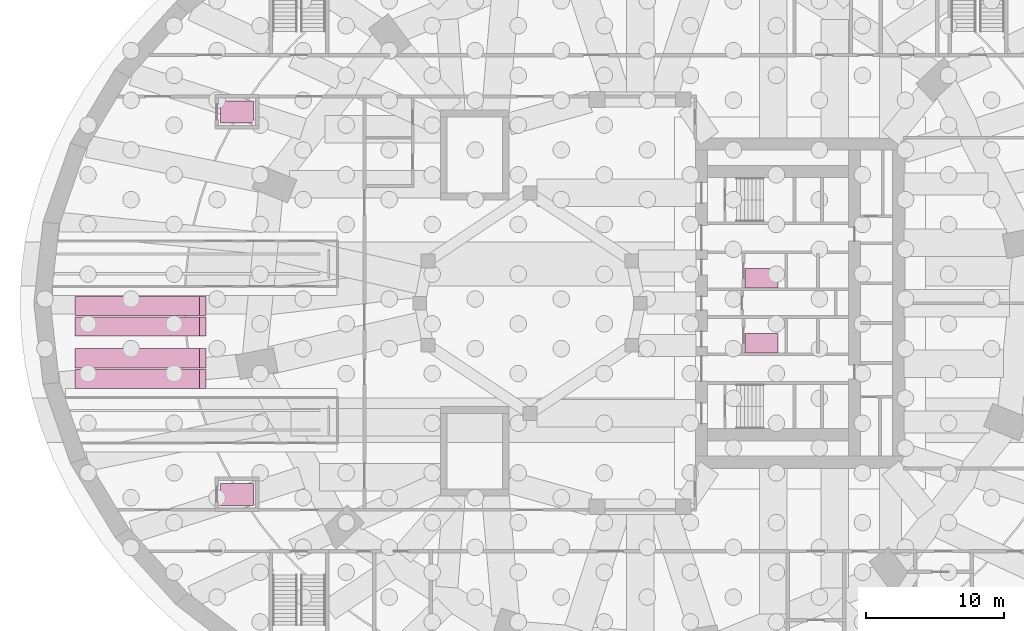
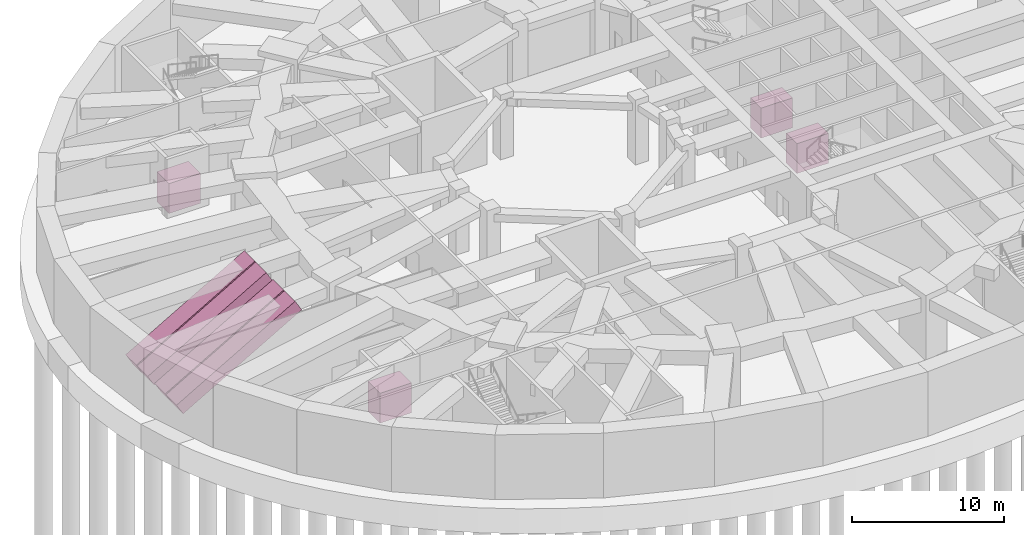
# One storey, part 18 of 18: 8 transport elements.
"""IFC4 building model written with IfcOpenShell, lengths in metres."""

from ifc_helpers import new_model, si_unit, direction, frame, origin, origin_2d, place, context, subcontext, project, spatial, polyline, rectangle, outline, extrude, material, type_object, element, save


model = new_model("IFC4")

# Units and contexts
model_context = context("Model", 3, precision=1e-05, world=origin(), true_north=direction((0.0, 1.0)))
body_context = subcontext(model_context, "Body", "Model", "MODEL_VIEW")
ifc_project = project(units=[si_unit("LENGTHUNIT", "METRE"), si_unit("AREAUNIT", "SQUARE_METRE"), si_unit("VOLUMEUNIT", "CUBIC_METRE"), si_unit("PLANEANGLEUNIT", "RADIAN"), si_unit("MASSUNIT", "GRAM", prefix="KILO")], contexts=[model_context])

# Site, building, storey
site_placement = place(None, origin())
site = spatial("IfcSite", under=ifc_project, at=site_placement, CompositionType="ELEMENT")
building_placement = place(site_placement, origin())
building = spatial("IfcBuilding", under=site, at=building_placement, Name="Taillehof Tower", CompositionType="ELEMENT")
storey_placement = place(building_placement, frame((0.0, 0.0, -10.39990234375)))
storey = spatial("IfcBuildingStorey", under=building, at=storey_placement, Name="B2", CompositionType="ELEMENT", Elevation=-10.39990234375)

# Transport elements
ifc_material_1 = material(Name="Stainless steel escalator truss", Category="steel")
transport_element_type_1 = type_object("IfcTransportElementType", Name="Escalator 1000 mm", PredefinedType="ESCALATOR", material=ifc_material_1)
for number, where, z_axis, x_axis, name in (
    (1, (-41.0, -0.89990234375, 0.0), (-0.499999493275, 0.0, 0.866025696342), (0.866025696342, 0.0, 0.499999493275), "Escalator EA1"),
    (2, (-41.0, -2.39990234375, 0.0), (-0.499999493275, 0.0, 0.866025696342), (0.866025696342, 0.0, 0.499999493275), "Escalator EA2"),
    (3, (-41.0, -4.699951171875, 0.0), (-0.499999493275, 0.0, 0.866025696342), (0.866025696342, 0.0, 0.499999493275), "Escalator EB1"),
    (4, (-41.0, -6.199951171875, 0.0), (-0.499999493275, 0.0, 0.866025696342), (0.866025696342, 0.0, 0.499999493275), "Escalator EB2"),
):
    element("IfcTransportElement", number, at=place(storey_placement, frame(where, z_axis=z_axis, x_axis=x_axis)), inside=storey, type_object=transport_element_type_1, Name=name, PredefinedType="ESCALATOR", context=body_context, shape_type="SweptSolid", body=[
        extrude(outline(polyline([(0.0, 0.0), (10.399912883549565, 0.0), (10.399912883549565, 1.39990234375), (0.0, 1.39990234375), (0.0, 0.0)])), origin(), (0.0, 0.0, -1.0), 1.0),
    ])
ifc_material_2 = material(Name="Stainless steel", Category="steel")
transport_element_type_2 = type_object("IfcTransportElementType", Name="Lift FF1 1600 kg car 1400x2400", PredefinedType="ELEVATOR", material=ifc_material_2)
transport_element_1_placement = place(storey_placement, frame((8.800048828125, 1.800048828125, 0.0), z_axis=(0.0, 0.0, 1.0), x_axis=(1.0, 0.0, 0.0)))
element("IfcTransportElement", 5, at=transport_element_1_placement, inside=storey, type_object=transport_element_type_2, Name="Lift FF1", PredefinedType="ELEVATOR", context=body_context, shape_type="SweptSolid", body=[
    extrude(rectangle(XDim=2.39990234375, YDim=1.39990234375, at=origin_2d()), origin(), (0.0, 0.0, 1.0), 2.39990234375),
])
ifc_material_3 = material(Name="Stainless steel", Category="steel")
transport_element_type_3 = type_object("IfcTransportElementType", Name="Lift FF2 1600 kg car 1400x2400", PredefinedType="ELEVATOR", material=ifc_material_3)
transport_element_2_placement = place(storey_placement, frame((8.800048828125, -2.89990234375, 0.0), z_axis=(0.0, 0.0, 1.0), x_axis=(1.0, 0.0, 0.0)))
element("IfcTransportElement", 6, at=transport_element_2_placement, inside=storey, type_object=transport_element_type_3, Name="Lift FF2", PredefinedType="ELEVATOR", context=body_context, shape_type="SweptSolid", body=[
    extrude(rectangle(XDim=2.39990234375, YDim=1.39990234375, at=origin_2d()), origin(), (0.0, 0.0, 1.0), 2.39990234375),
])
ifc_material_4 = material(Name="Brushed stainless lift car")
transport_element_type_4 = type_object("IfcTransportElementType", Name="Station lift 1800 kg", PredefinedType="ELEVATOR", material=ifc_material_4)
for number, where, z_axis, x_axis, name in (
    (7, (-29.25, 13.875, 0.0), (0.0, 0.0, 1.0), (1.0, 0.0, 0.0), "Station lift SL1"),
    (8, (-29.25, -13.875, 0.0), (0.0, 0.0, 1.0), (1.0, 0.0, 0.0), "Station lift SL2"),
):
    element("IfcTransportElement", number, at=place(storey_placement, frame(where, z_axis=z_axis, x_axis=x_axis)), inside=storey, type_object=transport_element_type_4, Name=name, PredefinedType="ELEVATOR", context=body_context, shape_type="SweptSolid", body=[
        extrude(rectangle(XDim=2.39990234375, YDim=1.60009765625, at=origin_2d()), origin(), (0.0, 0.0, 1.0), 2.39990234375),
    ])

save(model, "model.ifc")
